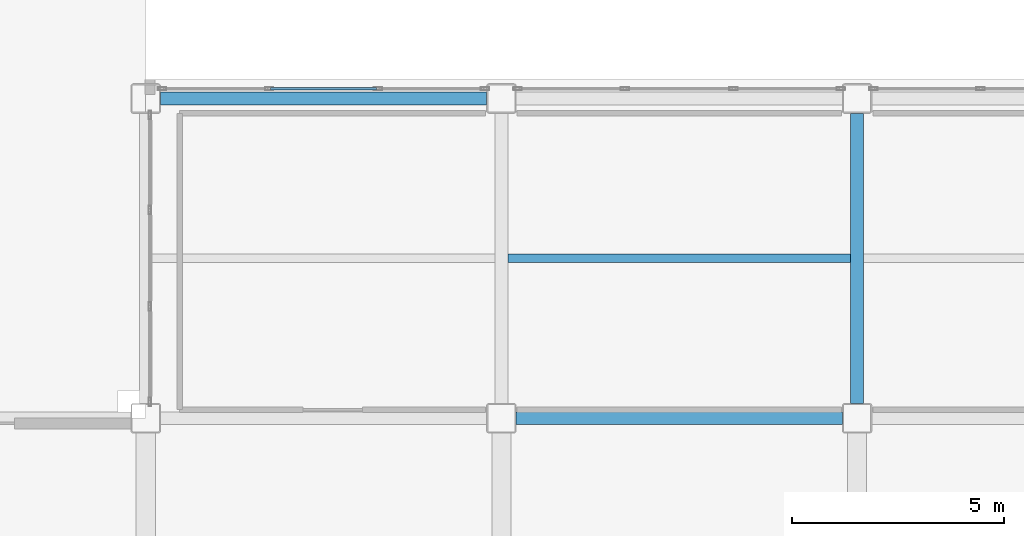
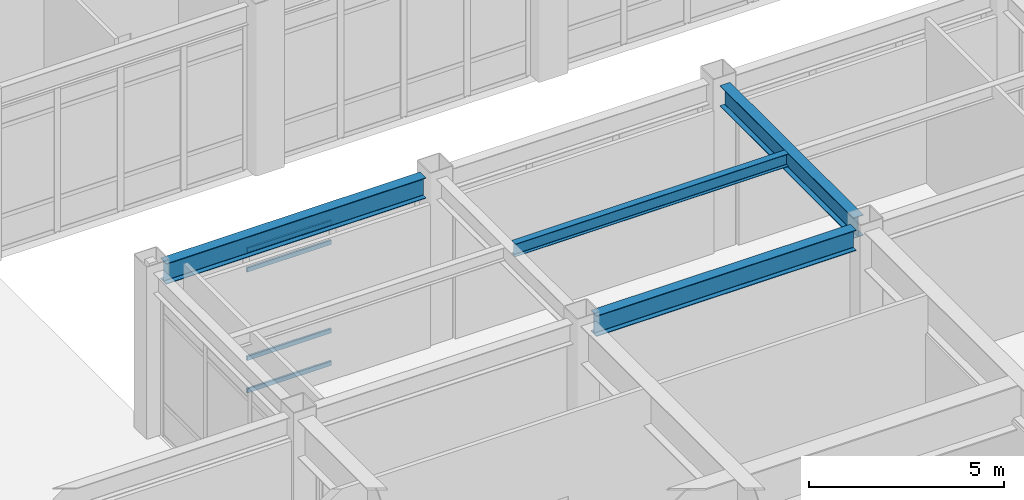
# One storey, part 26 of 165: 4 beams, 4 members, 1 element without a shape of its own.
"""IFC4 building model written with IfcOpenShell, lengths in metres."""

from ifc_helpers import new_model, si_unit, direction, frame, origin, origin_2d, place, context, subcontext, project, spatial, hollow_rectangle, i_section, extrude, material, layer, layer_set, material_profile, profile_set, type_object, element, aggregate, save


model = new_model("IFC4")

# Units and contexts
model_context = context("Model", 3, precision=1e-05, world=origin(), true_north=direction((0.0, 1.0)))
body_context = subcontext(model_context, "Body", "Model", "MODEL_VIEW")
ifc_project = project(units=[si_unit("LENGTHUNIT", "METRE"), si_unit("AREAUNIT", "SQUARE_METRE"), si_unit("VOLUMEUNIT", "CUBIC_METRE"), si_unit("PLANEANGLEUNIT", "RADIAN"), si_unit("MASSUNIT", "GRAM", prefix="KILO")], contexts=[model_context])

# Site, building, storey
site_placement = place(None, origin())
site = spatial("IfcSite", under=ifc_project, at=site_placement, CompositionType="ELEMENT")
building_placement = place(site_placement, origin())
building = spatial("IfcBuilding", under=site, at=building_placement, Name="Kazehara Bluff Congress Hotel", CompositionType="ELEMENT")
storey_placement = place(building_placement, origin())
storey = spatial("IfcBuildingStorey", under=building, at=storey_placement, Name="L00", CompositionType="ELEMENT", Elevation=0.0)

# Curtain wall, members
ifc_material_1 = material(Name="Anodised aluminium", Category="aluminium")
ifc_layer = layer(ifc_material_1, 0.159912109375)
ifc_layer_set = layer_set([ifc_layer], Name="Anodised aluminium")
curtain_wall_type = type_object("IfcCurtainWallType", Name="TP-CW-26", PredefinedType="NOTDEFINED", material=ifc_layer_set)
curtain_wall_placement = place(storey_placement, origin())
curtain_wall = element("IfcCurtainWall", 1, at=curtain_wall_placement, inside=storey, type_object=curtain_wall_type, Name="L00 curtain wall CW-26 CW-ENC-V2-L00-2940-3978", PredefinedType="NOTDEFINED")
ifc_material_2 = material(Name="Anodised aluminium", Category="aluminium")
ifc_material_profile_1 = material_profile(ifc_material_2, hollow_rectangle(XDim=0.06494140625, YDim=0.139892578125, WallThickness=0.00390625, InnerFilletRadius=0.00390625, OuterFilletRadius=0.008056640625, at=origin_2d()))
ifc_profile_set_1 = profile_set([ifc_material_profile_1], Name="Anodised aluminium")
member_type = type_object("IfcMemberType", Name="TP-CWT-02", PredefinedType="USERDEFINED", material=ifc_profile_set_1)
member_1_placement = place(storey_placement, frame((28.151611328125, 39.780029296875, 0.032470703125), z_axis=(1.0, 0.0, 0.0), x_axis=(0.0, 1.0, 0.0)))
member_1 = element("IfcMember", 2, at=member_1_placement, type_object=member_type, Name="CW-26 transom 2.1", ObjectType="TRANSOM", PredefinedType="USERDEFINED", context=body_context, shape_type="SweptSolid", body=[
    extrude(hollow_rectangle(XDim=0.06494140625, YDim=0.139892578125, WallThickness=0.00390625, InnerFilletRadius=0.00390625, OuterFilletRadius=0.008056640625, at=origin_2d()), origin(), (0.0, 0.0, 1.0), 2.496826171875),
])
member_2_placement = place(storey_placement, frame((28.151611328125, 39.780029296875, 1.050048828125), z_axis=(1.0, 0.0, 0.0), x_axis=(0.0, 1.0, 0.0)))
member_2 = element("IfcMember", 3, at=member_2_placement, type_object=member_type, Name="CW-26 transom 2.2", ObjectType="TRANSOM", PredefinedType="USERDEFINED", context=body_context, shape_type="SweptSolid", body=[
    extrude(hollow_rectangle(XDim=0.06494140625, YDim=0.139892578125, WallThickness=0.00390625, InnerFilletRadius=0.00390625, OuterFilletRadius=0.008056640625, at=origin_2d()), origin(), (0.0, 0.0, 1.0), 2.496826171875),
])
member_3_placement = place(storey_placement, frame((28.151611328125, 39.780029296875, 3.824951171875), z_axis=(1.0, 0.0, 0.0), x_axis=(0.0, 1.0, 0.0)))
member_3 = element("IfcMember", 4, at=member_3_placement, type_object=member_type, Name="CW-26 transom 2.3", ObjectType="TRANSOM", PredefinedType="USERDEFINED", context=body_context, shape_type="SweptSolid", body=[
    extrude(hollow_rectangle(XDim=0.06494140625, YDim=0.139892578125, WallThickness=0.00390625, InnerFilletRadius=0.00390625, OuterFilletRadius=0.008056640625, at=origin_2d()), origin(), (0.0, 0.0, 1.0), 2.496826171875),
])
member_4_placement = place(storey_placement, frame((28.151611328125, 39.780029296875, 4.4423828125), z_axis=(1.0, 0.0, 0.0), x_axis=(0.0, 1.0, 0.0)))
member_4 = element("IfcMember", 5, at=member_4_placement, type_object=member_type, Name="CW-26 transom 2.4", ObjectType="TRANSOM", PredefinedType="USERDEFINED", context=body_context, shape_type="SweptSolid", body=[
    extrude(hollow_rectangle(XDim=0.06494140625, YDim=0.139892578125, WallThickness=0.00390625, InnerFilletRadius=0.00390625, OuterFilletRadius=0.008056640625, at=origin_2d()), origin(), (0.0, 0.0, 1.0), 2.496826171875),
])
aggregate(curtain_wall, [member_1, member_2, member_3, member_4])

# Beams
ifc_material_3 = material(Name="Steel SN490B", Category="steel")
ifc_material_profile_2 = material_profile(ifc_material_3, i_section(OverallWidth=0.300048828125, OverallDepth=0.64990234375, WebThickness=0.011962890625, FlangeThickness=0.02001953125, FilletRadius=0.012939453125, at=origin_2d()))
ifc_profile_set_2 = profile_set([ifc_material_profile_2], Name="Steel SN490B")
beam_type_1 = type_object("IfcBeamType", Name="TP-G-03", PredefinedType="BEAM", material=ifc_profile_set_2)
beam_1_placement = place(storey_placement, frame((42.0, 32.35009765625, 4.824951171875), z_axis=(0.0, 1.0, 0.0), x_axis=(-1.0, 0.0, 0.0)))
element("IfcBeam", 6, at=beam_1_placement, inside=storey, type_object=beam_type_1, Name="L00 girder G-03 60", PredefinedType="BEAM", context=body_context, shape_type="SweptSolid", body=[
    extrude(i_section(OverallWidth=0.300048828125, OverallDepth=0.64990234375, WebThickness=0.011962890625, FlangeThickness=0.02001953125, FilletRadius=0.012939453125, at=origin_2d()), origin(), (0.0, 0.0, 1.0), 6.849853515625),
])
for number, where, z_axis, x_axis, name in (
    (7, (33.949951171875, 32.0, 4.824951171875), (1.0, 0.0, 0.0), (0.0, 1.0, 0.0), "L00 girder G-03 92"),
    (8, (25.550048828125, 39.550048828125, 4.824951171875), (1.0, 0.0, 0.0), (0.0, 1.0, 0.0), "L00 girder G-03 95"),
):
    element("IfcBeam", number, at=place(storey_placement, frame(where, z_axis=z_axis, x_axis=x_axis)), inside=storey, type_object=beam_type_1, Name=name, PredefinedType="BEAM", context=body_context, shape_type="SweptSolid", body=[
        extrude(i_section(OverallWidth=0.300048828125, OverallDepth=0.64990234375, WebThickness=0.011962890625, FlangeThickness=0.02001953125, FilletRadius=0.012939453125, at=origin_2d()), origin(), (0.0, 0.0, 1.0), 7.699951171875),
    ])
ifc_material_4 = material(Name="Steel SN400B", Category="steel")
ifc_material_profile_3 = material_profile(ifc_material_4, i_section(OverallWidth=0.199951171875, OverallDepth=0.39990234375, WebThickness=0.008056640625, FlangeThickness=0.012939453125, FilletRadius=0.012939453125, at=origin_2d()))
ifc_profile_set_3 = profile_set([ifc_material_profile_3], Name="Steel SN400B")
beam_type_2 = type_object("IfcBeamType", Name="TP-J-03", PredefinedType="JOIST", material=ifc_profile_set_3)
beam_2_placement = place(storey_placement, frame((33.75, 35.77490234375, 4.949951171875), z_axis=(1.0, 0.0, 0.0), x_axis=(0.0, 1.0, 0.0)))
element("IfcBeam", 9, at=beam_2_placement, inside=storey, type_object=beam_type_2, Name="L00 secondary joist J-03 7", PredefinedType="JOIST", context=body_context, shape_type="SweptSolid", body=[
    extrude(i_section(OverallWidth=0.199951171875, OverallDepth=0.39990234375, WebThickness=0.008056640625, FlangeThickness=0.012939453125, FilletRadius=0.012939453125, at=origin_2d()), origin(), (0.0, 0.0, 1.0), 8.10009765625),
])

save(model, "model.ifc")
